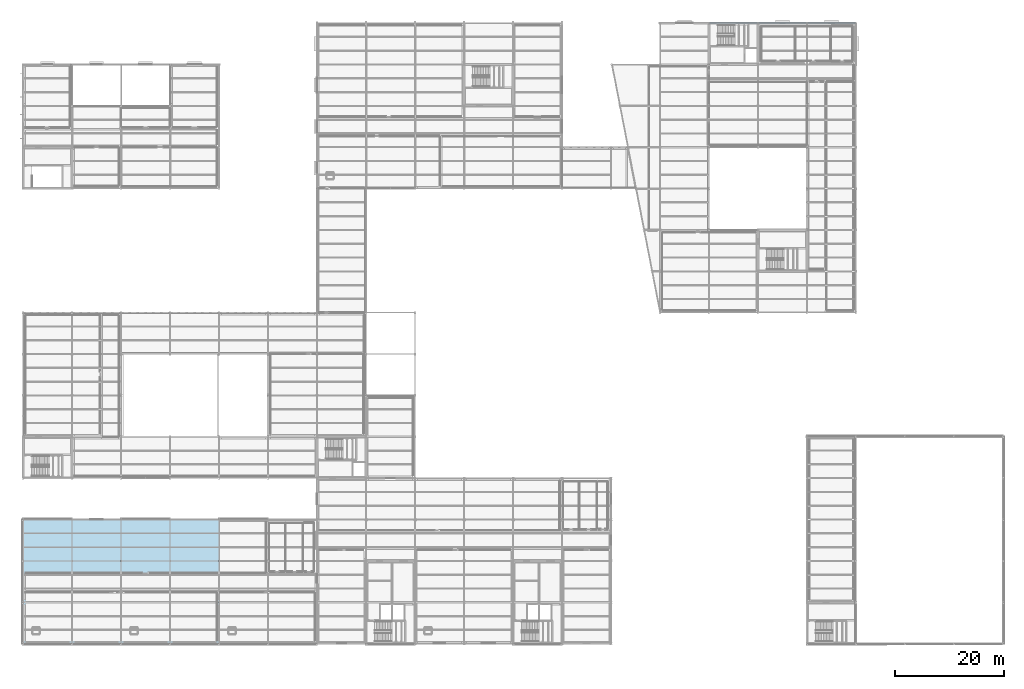
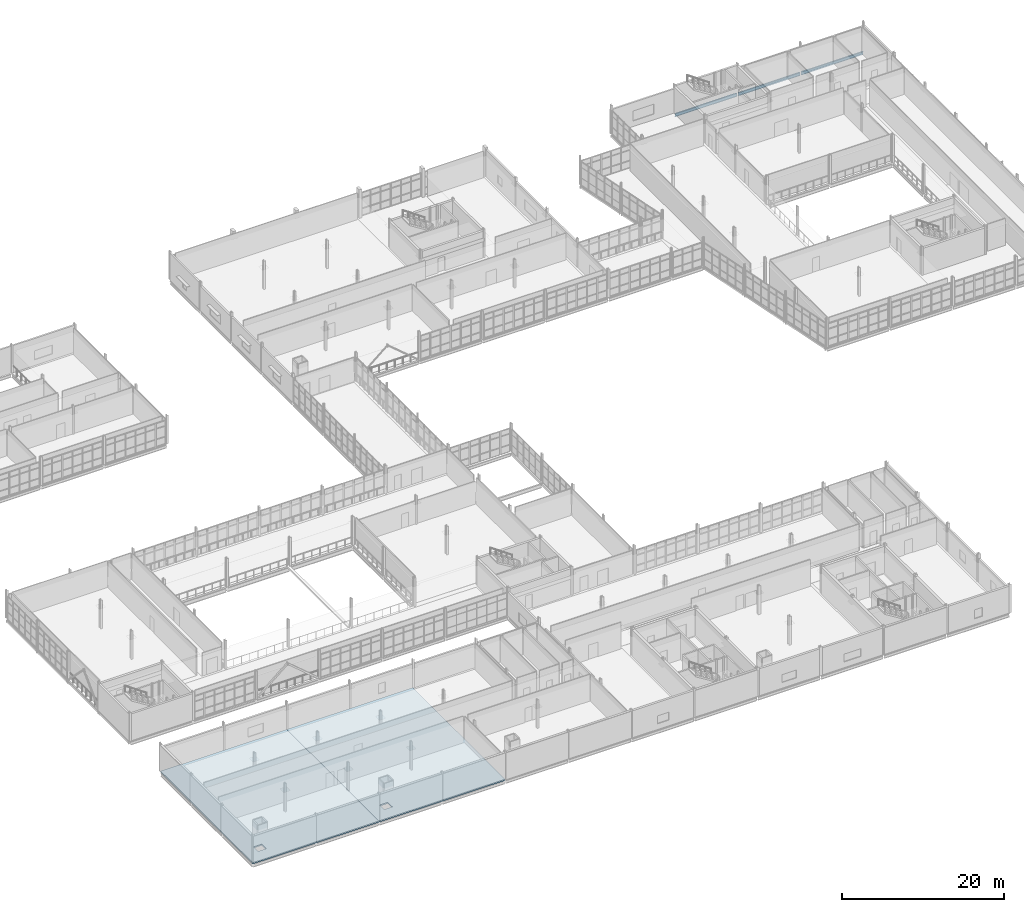
# One storey, part 127 of 174: 3 beams, 2 slabs.
"""IFC4 building model written with IfcOpenShell, lengths in metres."""

from ifc_helpers import new_model, si_unit, direction, frame, origin, origin_2d, place, context, subcontext, project, spatial, polyline, i_section, outline, extrude, material, layer, layer_set, material_profile, profile_set, type_object, element, save


model = new_model("IFC4")

# Units and contexts
model_context = context("Model", 3, precision=1e-05, world=origin(), true_north=direction((0.0, 1.0)))
body_context = subcontext(model_context, "Body", "Model", "MODEL_VIEW")
ifc_project = project(units=[si_unit("LENGTHUNIT", "METRE"), si_unit("AREAUNIT", "SQUARE_METRE"), si_unit("VOLUMEUNIT", "CUBIC_METRE"), si_unit("PLANEANGLEUNIT", "RADIAN"), si_unit("MASSUNIT", "GRAM", prefix="KILO")], contexts=[model_context])

# Site, building, storey
site_placement = place(None, origin())
site = spatial("IfcSite", under=ifc_project, at=site_placement, CompositionType="ELEMENT")
building_placement = place(site_placement, origin())
building = spatial("IfcBuilding", under=site, at=building_placement, Name="Caisbarro Railhouse Central Library", CompositionType="ELEMENT")
storey_placement = place(building_placement, frame((0.0, 0.0, 5.0400390625)))
storey = spatial("IfcBuildingStorey", under=building, at=storey_placement, Name="L01", CompositionType="ELEMENT", Elevation=5.0400390625)

# Beams
ifc_material_1 = material(Name="Steel ASTM A572 Grade 50", Category="steel")
ifc_material_profile = material_profile(ifc_material_1, i_section(OverallWidth=0.18994140625, OverallDepth=0.45703125, WebThickness=0.009033203125, FlangeThickness=0.014404296875, FilletRadius=0.01806640625, at=origin_2d()), Name="W460X74.0")
ifc_profile_set = profile_set([ifc_material_profile], Name="Steel ASTM A572 Grade 50")
beam_type = type_object("IfcBeamType", Name="BM-SP01", PredefinedType="SPANDREL", material=ifc_profile_set)
for number, where, z_axis, x_axis, name in (
    (1, (126.080078125, 114.0, -0.448486328125), (1.0, 0.0, 0.0), (0.0, 1.0, 0.0), "SP01 beam L01 #928"),
    (2, (135.080078125, 114.0, -0.448486328125), (1.0, 0.0, 0.0), (0.0, 1.0, 0.0), "SP01 beam L01 #929"),
    (3, (144.080078125, 114.0, -0.448486328125), (1.0, 0.0, 0.0), (0.0, 1.0, 0.0), "SP01 beam L01 #930"),
):
    element("IfcBeam", number, at=place(storey_placement, frame(where, z_axis=z_axis, x_axis=x_axis)), inside=storey, type_object=beam_type, Name=name, PredefinedType="SPANDREL", context=body_context, shape_type="SweptSolid", body=[
        extrude(i_section(OverallWidth=0.18994140625, OverallDepth=0.45703125, WebThickness=0.009033203125, FlangeThickness=0.014404296875, FilletRadius=0.01806640625, at=origin_2d()), origin(), (0.0, 0.0, 1.0), 8.83984375),
    ])

# Slabs
ifc_material_2 = material(Name="Concrete C35", Category="concrete")
ifc_layer = layer(ifc_material_2, 0.199951171875, Name="Concrete C35")
ifc_layer_set = layer_set([ifc_layer], Name="Concrete C35")
slab_type = type_object("IfcSlabType", Name="SLB-FL20", PredefinedType="FLOOR", material=ifc_layer_set)
slab_1_placement = place(storey_placement, frame((0.0, 0.0, -0.199951171875)))
element("IfcSlab", 4, at=slab_1_placement, inside=storey, type_object=slab_type, Name="SF20 structural slab L01 V5W.1", PredefinedType="FLOOR", context=body_context, shape_type="SweptSolid", body=[
    extrude(outline(polyline([(0.0, 0.0), (18.0, 0.0), (18.0, 22.800048828125), (0.0, 22.800048828125), (0.0, 0.0)]), holes=[polyline([(1.800048828125, 1.800048828125), (2.9599609375, 1.800048828125), (2.9599609375, 2.919921875), (1.800048828125, 2.919921875), (1.800048828125, 1.800048828125)])]), origin(), (0.0, 0.0, 1.0), 0.199951171875),
])
slab_2_placement = place(storey_placement, frame((0.0, 0.0, -0.199951171875)))
element("IfcSlab", 5, at=slab_2_placement, inside=storey, type_object=slab_type, Name="SF20 structural slab L01 V5W.2", PredefinedType="FLOOR", context=body_context, shape_type="SweptSolid", body=[
    extrude(outline(polyline([(18.0, 0.0), (36.0, 0.0), (36.0, 22.800048828125), (18.0, 22.800048828125), (18.0, 0.0)]), holes=[polyline([(19.800048828125, 1.800048828125), (20.9599609375, 1.800048828125), (20.9599609375, 2.919921875), (19.800048828125, 2.919921875), (19.800048828125, 1.800048828125)])]), origin(), (0.0, 0.0, 1.0), 0.199951171875),
])

save(model, "model.ifc")
